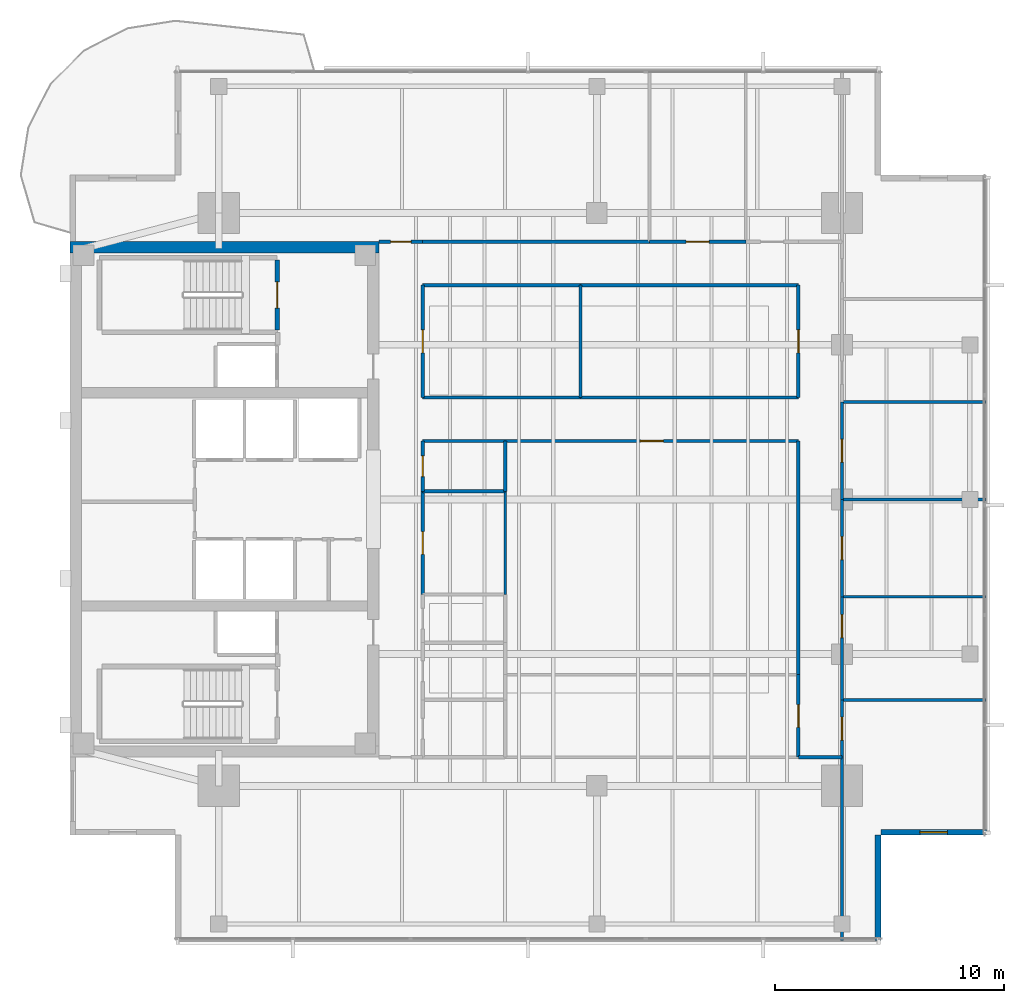
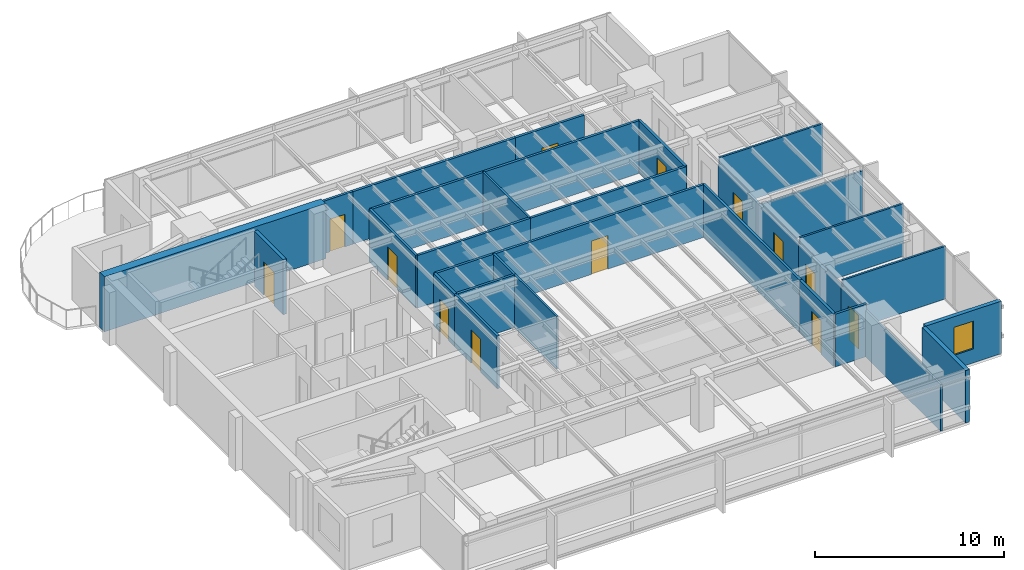
# One storey, part 8 of 13: 33 walls, 13 doors, 1 window, 14 openings.
"""IFC4 building model written with IfcOpenShell, lengths in metres."""

from ifc_helpers import new_model, si_unit, direction, frame, frame_2d, origin, place, context, subcontext, project, spatial, rectangle, extrude, material, layer, layer_set, type_object, element, fill, save


model = new_model("IFC4")

# Units and contexts
model_context = context("Model", 3, precision=1e-05, world=origin(), true_north=direction((0.0, 1.0)))
body_context = subcontext(model_context, "Body", "Model", "MODEL_VIEW")
ifc_project = project(units=[si_unit("LENGTHUNIT", "METRE"), si_unit("AREAUNIT", "SQUARE_METRE"), si_unit("VOLUMEUNIT", "CUBIC_METRE"), si_unit("PLANEANGLEUNIT", "RADIAN"), si_unit("MASSUNIT", "GRAM", prefix="KILO")], contexts=[model_context])

# Site, building, storey
site_placement = place(None, origin())
site = spatial("IfcSite", under=ifc_project, at=site_placement, CompositionType="ELEMENT")
building_placement = place(site_placement, origin())
building = spatial("IfcBuilding", under=site, at=building_placement, Name="Kinhvarn Gate Tower", CompositionType="ELEMENT")
storey_placement = place(building_placement, frame((0.0, 0.0, 288.300048828125)))
storey = spatial("IfcBuildingStorey", under=building, at=storey_placement, Name="L77", CompositionType="ELEMENT", Elevation=288.300048828125)

# Walls
ifc_material_1 = material(Name="Concrete C50/60", Category="concrete")
ifc_layer_1 = layer(ifc_material_1, 0.5)
ifc_layer_set_1 = layer_set([ifc_layer_1], Name="Concrete C50/60")
wall_type_1 = type_object("IfcWallType", Name="WL-CORE-500", PredefinedType="SHEAR", material=ifc_layer_set_1)
wall_1_placement = place(storey_placement, frame((4.5, 36.25, 0.0), z_axis=(0.0, 0.0, 1.0), x_axis=(1.0, 0.0, 0.0)))
element("IfcWall", 1, at=wall_1_placement, inside=storey, type_object=wall_type_1, Name="Core North Shear Wall L77 500 mm", PredefinedType="SHEAR", context=body_context, shape_type="SweptSolid", body=[
    extrude(rectangle(XDim=13.5, YDim=0.5, at=frame_2d((6.75, 0.0))), origin(), (0.0, 0.0, 1.0), 3.550048828125),
])
ifc_material_2 = material(Name="Fired architectural terracotta", Category="masonry")
ifc_layer_2 = layer(ifc_material_2, 0.25)
ifc_layer_set_2 = layer_set([ifc_layer_2], Name="Fired architectural terracotta")
wall_type_2 = type_object("IfcWallType", Name="WL-EXT-250", PredefinedType="SOLIDWALL", material=ifc_layer_set_2)
wall_2_placement = place(storey_placement, frame((39.77490234375, 6.0, 0.0), z_axis=(0.0, 0.0, 1.0), x_axis=(0.0, 1.0, 0.0)))
element("IfcWall", 2, at=wall_2_placement, inside=storey, type_object=wall_type_2, Name="Exterior Solidwall Wall EW-250 (L77 SE-Notch-1)", PredefinedType="SOLIDWALL", context=body_context, shape_type="SweptSolid", body=[
    extrude(rectangle(XDim=4.60009765625, YDim=0.25, at=frame_2d((2.300048828125, 0.0))), origin(), (0.0, 0.0, 1.0), 3.389892578125),
])

# Wall, opening, window
wall_3_placement = place(storey_placement, frame((39.89990234375, 10.72509765625, 0.0), z_axis=(0.0, 0.0, 1.0), x_axis=(1.0, 0.0, 0.0)))
wall_3 = element("IfcWall", 3, at=wall_3_placement, inside=storey, type_object=wall_type_2, Name="Exterior Solidwall Wall EW-250 (L77 SE-Notch-2)", PredefinedType="SOLIDWALL", context=body_context, shape_type="SweptSolid", body=[
    extrude(rectangle(XDim=4.60009765625, YDim=0.25, at=frame_2d((2.300048828125, 0.0))), origin(), (0.0, 0.0, 1.0), 3.389892578125),
])
opening_1_placement = place(wall_3_placement, frame((1.699951171875, 0.0, 0.89990234375)))
opening_1 = element("IfcOpeningElement", 4, at=opening_1_placement, cuts=wall_3, Name="Opening WN-02", PredefinedType="OPENING", context=body_context, shape_type="SweptSolid", body=[
    extrude(rectangle(XDim=1.199951171875, YDim=1.800048828125, at=frame_2d((0.60009765625, 0.89990234375))), frame((0.0, 0.135009765625, 0.0), z_axis=(0.0, -1.0, 0.0), x_axis=(1.0, 0.0, 0.0)), (0.0, 0.0, 1.0), 0.27001953125),
])
ifc_material_3 = material(Name="Clear low-e double glazing", Category="glass")
window_type = type_object("IfcWindowType", Name="WIN-NTC-1200", PartitioningType="SINGLE_PANEL", PredefinedType="WINDOW", material=ifc_material_3)
window_placement = place(opening_1_placement, origin())
window = element("IfcWindow", 5, at=window_placement, inside=storey, type_object=window_type, Name="Recessed Corner Notch Punched Window 1200x1800 mm (L77)", OverallHeight=1.800048828125, OverallWidth=1.199951171875, PartitioningType="SINGLE_PANEL", PredefinedType="WINDOW", context=body_context, shape_type="SweptSolid", body=[
    extrude(rectangle(XDim=1.199951171875, YDim=1.800048828125, at=frame_2d((0.60009765625, 0.89990234375))), frame((0.0, 0.030029296875, 0.0), z_axis=(0.0, -1.0, 0.0), x_axis=(1.0, 0.0, 0.0)), (0.0, 0.0, 1.0), 0.06005859375),
])
fill(opening_1, window)

# Walls
ifc_material_4 = material(Name="Gypsum acoustic partition board")
ifc_layer_3 = layer(ifc_material_4, 0.14990234375)
ifc_layer_set_3 = layer_set([ifc_layer_3], Name="Gypsum acoustic partition board")
wall_type_3 = type_object("IfcWallType", Name="WL-PLM-150", PredefinedType="PLUMBINGWALL", material=ifc_layer_set_3)
wall_4_placement = place(storey_placement, frame((19.89990234375, 25.60009765625, 0.0), z_axis=(0.0, 0.0, 1.0), x_axis=(1.0, 0.0, 0.0)))
element("IfcWall", 6, at=wall_4_placement, inside=storey, type_object=wall_type_3, Name="Interior Partition PLW-150 (L77)", PredefinedType="PLUMBINGWALL", context=body_context, shape_type="SweptSolid", body=[
    extrude(rectangle(XDim=3.60009765625, YDim=0.14990234375, at=frame_2d((1.800048828125, 0.0))), origin(), (0.0, 0.0, 1.0), 3.389892578125),
])
wall_5_placement = place(storey_placement, frame((23.5, 25.60009765625, 0.0), z_axis=(0.0, 0.0, 1.0), x_axis=(0.0, 1.0, 0.0)))
element("IfcWall", 7, at=wall_5_placement, inside=storey, type_object=wall_type_3, Name="Interior Partition PLW-150 (L77)", PredefinedType="PLUMBINGWALL", context=body_context, shape_type="SweptSolid", body=[
    extrude(rectangle(XDim=2.199951171875, YDim=0.14990234375, at=frame_2d((1.10009765625, 0.0))), origin(), (0.0, 0.0, 1.0), 3.389892578125),
])

# Wall, opening, door
ifc_layer_4 = layer(ifc_material_4, 0.14990234375)
ifc_layer_set_4 = layer_set([ifc_layer_4], Name="Gypsum acoustic partition board")
wall_type_4 = type_object("IfcWallType", Name="WL-PLM-150F", PredefinedType="PLUMBINGWALL", material=ifc_layer_set_4)
wall_6_placement = place(storey_placement, frame((19.89990234375, 25.60009765625, 0.0), z_axis=(0.0, 0.0, 1.0), x_axis=(0.0, 1.0, 0.0)))
wall_6 = element("IfcWall", 8, at=wall_6_placement, inside=storey, type_object=wall_type_4, Name="Interior Partition PLW-150F (L77)", PredefinedType="PLUMBINGWALL", context=body_context, shape_type="SweptSolid", body=[
    extrude(rectangle(XDim=2.199951171875, YDim=0.14990234375, at=frame_2d((1.10009765625, 0.0))), origin(), (0.0, 0.0, 1.0), 3.389892578125),
])
opening_2_placement = place(wall_6_placement, frame((0.64990234375, 0.0, 0.0)))
opening_2 = element("IfcOpeningElement", 9, at=opening_2_placement, cuts=wall_6, Name="Opening FD-04", PredefinedType="OPENING", context=body_context, shape_type="SweptSolid", body=[
    extrude(rectangle(XDim=0.89990234375, YDim=2.10009765625, at=frame_2d((0.449951171875, 1.050048828125))), frame((0.0, 0.0849609375, 0.0), z_axis=(0.0, -1.0, 0.0), x_axis=(1.0, 0.0, 0.0)), (0.0, 0.0, 1.0), 0.169921875),
])
ifc_material_5 = material(Name="Anodised aluminium AW-6063", Category="aluminium")
door_type_1 = type_object("IfcDoorType", Name="DR-FD-900", OperationType="NOTDEFINED", PredefinedType="DOOR", material=ifc_material_5)
door_1_placement = place(opening_2_placement, origin())
door_1 = element("IfcDoor", 10, at=door_1_placement, inside=storey, type_object=door_type_1, Name="Rated Riser & Service Closet Fire Door 900x2100 mm (L77)", OperationType="SINGLE_SWING_RIGHT", OverallHeight=2.10009765625, OverallWidth=0.89990234375, PredefinedType="DOOR", context=body_context, shape_type="SweptSolid", body=[
    extrude(rectangle(XDim=0.89990234375, YDim=2.10009765625, at=frame_2d((0.449951171875, 1.050048828125))), frame((0.0, 0.02490234375, 0.0), z_axis=(0.0, -1.0, 0.0), x_axis=(1.0, 0.0, 0.0)), (0.0, 0.0, 1.0), 0.050048828125),
])
fill(opening_2, door_1)

# Walls
wall_7_placement = place(storey_placement, frame((19.89990234375, 27.800048828125, 0.0), z_axis=(0.0, 0.0, 1.0), x_axis=(1.0, 0.0, 0.0)))
element("IfcWall", 11, at=wall_7_placement, inside=storey, type_object=wall_type_4, Name="Interior Partition PLW-150F (L77)", PredefinedType="PLUMBINGWALL", context=body_context, shape_type="SweptSolid", body=[
    extrude(rectangle(XDim=3.60009765625, YDim=0.14990234375, at=frame_2d((1.800048828125, 0.0))), origin(), (0.0, 0.0, 1.0), 3.389892578125),
])
ifc_layer_5 = layer(ifc_material_4, 0.1201171875)
ifc_layer_set_5 = layer_set([ifc_layer_5], Name="Gypsum acoustic partition board")
wall_type_5 = type_object("IfcWallType", Name="WL-PRT-120", PredefinedType="PARTITIONING", material=ifc_layer_set_5)
wall_8_placement = place(storey_placement, frame((26.7900390625, 29.699951171875, 0.0), z_axis=(0.0, 0.0, 1.0), x_axis=(0.0, 1.0, 0.0)))
element("IfcWall", 12, at=wall_8_placement, inside=storey, type_object=wall_type_5, Name="Interior Partition PW-120 (L77)", PredefinedType="PARTITIONING", context=body_context, shape_type="SweptSolid", body=[
    extrude(rectangle(XDim=4.900146484375, YDim=0.1201171875, at=frame_2d((2.4501953125, 0.0))), origin(), (0.0, 0.0, 1.0), 3.389892578125),
])
wall_9_placement = place(storey_placement, frame((23.5, 21.10009765625, 0.0), z_axis=(0.0, 0.0, 1.0), x_axis=(0.0, 1.0, 0.0)))
element("IfcWall", 13, at=wall_9_placement, inside=storey, type_object=wall_type_5, Name="Interior Partition PW-120 (L77)", PredefinedType="PARTITIONING", context=body_context, shape_type="SweptSolid", body=[
    extrude(rectangle(XDim=4.5, YDim=0.1201171875, at=frame_2d((2.25, 0.0))), origin(), (0.0, 0.0, 1.0), 3.389892578125),
])
wall_10_placement = place(storey_placement, frame((38.199951171875, 6.010009765625, 0.0), z_axis=(0.0, 0.0, 1.0), x_axis=(0.0, 1.0, 0.0)))
element("IfcWall", 14, at=wall_10_placement, inside=storey, type_object=wall_type_5, Name="Interior Partition PW-120 (L77)", PredefinedType="PARTITIONING", context=body_context, shape_type="SweptSolid", body=[
    extrude(rectangle(XDim=7.989990234375, YDim=0.1201171875, at=frame_2d((3.9951171875, 0.0))), origin(), (0.0, 0.0, 1.0), 2.989990234375),
])
for number, where, z_axis, x_axis, name in (
    (15, (38.199951171875, 16.5, 0.0), (0.0, 0.0, 1.0), (1.0, 0.0, 0.0), "Interior Partition PW-120 (L77)"),
    (16, (38.199951171875, 21.0, 0.0), (0.0, 0.0, 1.0), (1.0, 0.0, 0.0), "Interior Partition PW-120 (L77)"),
):
    element("IfcWall", number, at=place(storey_placement, frame(where, z_axis=z_axis, x_axis=x_axis)), inside=storey, type_object=wall_type_5, Name=name, PredefinedType="PARTITIONING", context=body_context, shape_type="SweptSolid", body=[
        extrude(rectangle(XDim=6.2900390625, YDim=0.1201171875, at=frame_2d((3.14501953125, 0.0))), origin(), (0.0, 0.0, 1.0), 3.389892578125),
    ])
wall_11_placement = place(storey_placement, frame((38.199951171875, 25.25, 0.0), z_axis=(0.0, 0.0, 1.0), x_axis=(1.0, 0.0, 0.0)))
element("IfcWall", 17, at=wall_11_placement, inside=storey, type_object=wall_type_5, Name="Interior Partition PW-120 (L77)", PredefinedType="PARTITIONING", context=body_context, shape_type="SweptSolid", body=[
    extrude(rectangle(XDim=6.2900390625, YDim=0.1201171875, at=frame_2d((3.14501953125, 0.0))), origin(), (0.0, 0.0, 1.0), 2.93994140625),
])
wall_12_placement = place(storey_placement, frame((38.199951171875, 29.5, 0.0), z_axis=(0.0, 0.0, 1.0), x_axis=(1.0, 0.0, 0.0)))
element("IfcWall", 18, at=wall_12_placement, inside=storey, type_object=wall_type_5, Name="Interior Partition PW-120 (L77)", PredefinedType="PARTITIONING", context=body_context, shape_type="SweptSolid", body=[
    extrude(rectangle(XDim=6.2900390625, YDim=0.1201171875, at=frame_2d((3.14501953125, 0.0))), origin(), (0.0, 0.0, 1.0), 3.389892578125),
])

# Wall, opening, door
ifc_layer_6 = layer(ifc_material_4, 0.14990234375)
ifc_layer_set_6 = layer_set([ifc_layer_6], Name="Gypsum acoustic partition board")
wall_type_6 = type_object("IfcWallType", Name="WL-PRT-150F", PredefinedType="PARTITIONING", material=ifc_layer_set_6)
wall_13_placement = place(storey_placement, frame((19.89990234375, 29.699951171875, 0.0), z_axis=(0.0, 0.0, 1.0), x_axis=(0.0, 1.0, 0.0)))
wall_13 = element("IfcWall", 19, at=wall_13_placement, inside=storey, type_object=wall_type_6, Name="Interior Partition PW-150F (L77)", PredefinedType="PARTITIONING", context=body_context, shape_type="SweptSolid", body=[
    extrude(rectangle(XDim=4.900146484375, YDim=0.14990234375, at=frame_2d((2.4501953125, 0.0))), origin(), (0.0, 0.0, 1.0), 3.389892578125),
])
opening_3_placement = place(wall_13_placement, frame((1.949951171875, 0.0, 0.0)))
opening_3 = element("IfcOpeningElement", 20, at=opening_3_placement, cuts=wall_13, Name="Opening ID-02", PredefinedType="OPENING", context=body_context, shape_type="SweptSolid", body=[
    extrude(rectangle(XDim=1.0, YDim=2.14990234375, at=frame_2d((0.5, 1.074951171875))), frame((0.0, 0.0849609375, 0.0), z_axis=(0.0, -1.0, 0.0), x_axis=(1.0, 0.0, 0.0)), (0.0, 0.0, 1.0), 0.169921875),
])
door_type_2 = type_object("IfcDoorType", Name="DR-INT-1000", OperationType="NOTDEFINED", PredefinedType="DOOR", material=ifc_material_5)
door_2_placement = place(opening_3_placement, origin())
door_2 = element("IfcDoor", 21, at=door_2_placement, inside=storey, type_object=door_type_2, Name="Standard Office & Meeting Room Door 1000x2150 mm (L77)", OperationType="SINGLE_SWING_RIGHT", OverallHeight=2.14990234375, OverallWidth=1.0, PredefinedType="DOOR", context=body_context, shape_type="SweptSolid", body=[
    extrude(rectangle(XDim=1.0, YDim=2.14990234375, at=frame_2d((0.5, 1.074951171875))), frame((0.0, 0.02490234375, 0.0), z_axis=(0.0, -1.0, 0.0), x_axis=(1.0, 0.0, 0.0)), (0.0, 0.0, 1.0), 0.050048828125),
])
fill(opening_3, door_2)

wall_14_placement = place(storey_placement, frame((19.89990234375, 21.10009765625, 0.0), z_axis=(0.0, 0.0, 1.0), x_axis=(0.0, 1.0, 0.0)))
wall_14 = element("IfcWall", 22, at=wall_14_placement, inside=storey, type_object=wall_type_6, Name="Interior Partition PW-150F (L77)", PredefinedType="PARTITIONING", context=body_context, shape_type="SweptSolid", body=[
    extrude(rectangle(XDim=4.5, YDim=0.14990234375, at=frame_2d((2.25, 0.0))), origin(), (0.0, 0.0, 1.0), 3.389892578125),
])
opening_4_placement = place(wall_14_placement, frame((1.75, 0.0, 0.0)))
opening_4 = element("IfcOpeningElement", 23, at=opening_4_placement, cuts=wall_14, Name="Opening ID-02", PredefinedType="OPENING", context=body_context, shape_type="SweptSolid", body=[
    extrude(rectangle(XDim=1.0, YDim=2.14990234375, at=frame_2d((0.5, 1.074951171875))), frame((0.0, 0.0849609375, 0.0), z_axis=(0.0, -1.0, 0.0), x_axis=(1.0, 0.0, 0.0)), (0.0, 0.0, 1.0), 0.169921875),
])
door_3_placement = place(opening_4_placement, origin())
door_3 = element("IfcDoor", 24, at=door_3_placement, inside=storey, type_object=door_type_2, Name="Standard Office & Meeting Room Door 1000x2150 mm (L77)", OperationType="SINGLE_SWING_LEFT", OverallHeight=2.14990234375, OverallWidth=1.0, PredefinedType="DOOR", context=body_context, shape_type="SweptSolid", body=[
    extrude(rectangle(XDim=1.0, YDim=2.14990234375, at=frame_2d((0.5, 1.074951171875))), frame((0.0, 0.02490234375, 0.0), z_axis=(0.0, -1.0, 0.0), x_axis=(1.0, 0.0, 0.0)), (0.0, 0.0, 1.0), 0.050048828125),
])
fill(opening_4, door_3)

wall_15_placement = place(storey_placement, frame((18.0, 36.5, 0.0), z_axis=(0.0, 0.0, 1.0), x_axis=(1.0, 0.0, 0.0)))
wall_15 = element("IfcWall", 25, at=wall_15_placement, inside=storey, type_object=wall_type_6, Name="Interior Partition PW-150F (L77)", PredefinedType="PARTITIONING", context=body_context, shape_type="SweptSolid", body=[
    extrude(rectangle(XDim=1.89990234375, YDim=0.14990234375, at=frame_2d((0.949951171875, 0.0))), origin(), (0.0, 0.0, 1.0), 3.389892578125),
])
opening_5_placement = place(wall_15_placement, frame((0.5, 0.0, 0.0)))
opening_5 = element("IfcOpeningElement", 26, at=opening_5_placement, cuts=wall_15, Name="Opening ID-03", PredefinedType="OPENING", context=body_context, shape_type="SweptSolid", body=[
    extrude(rectangle(XDim=0.89990234375, YDim=2.10009765625, at=frame_2d((0.449951171875, 1.050048828125))), frame((0.0, 0.0849609375, 0.0), z_axis=(0.0, -1.0, 0.0), x_axis=(1.0, 0.0, 0.0)), (0.0, 0.0, 1.0), 0.169921875),
])
door_type_3 = type_object("IfcDoorType", Name="DR-INT-900", OperationType="NOTDEFINED", PredefinedType="DOOR", material=ifc_material_5)
door_4_placement = place(opening_5_placement, origin())
door_4 = element("IfcDoor", 27, at=door_4_placement, inside=storey, type_object=door_type_3, Name="Cellular Office & Restroom Door 900x2100 mm (L77)", OperationType="SINGLE_SWING_LEFT", OverallHeight=2.10009765625, OverallWidth=0.89990234375, PredefinedType="DOOR", context=body_context, shape_type="SweptSolid", body=[
    extrude(rectangle(XDim=0.89990234375, YDim=2.10009765625, at=frame_2d((0.449951171875, 1.050048828125))), frame((0.0, 0.02490234375, 0.0), z_axis=(0.0, -1.0, 0.0), x_axis=(1.0, 0.0, 0.0)), (0.0, 0.0, 1.0), 0.050048828125),
])
fill(opening_5, door_4)

# Walls
wall_16_placement = place(storey_placement, frame((19.89990234375, 29.699951171875, 0.0), z_axis=(0.0, 0.0, 1.0), x_axis=(1.0, 0.0, 0.0)))
element("IfcWall", 28, at=wall_16_placement, inside=storey, type_object=wall_type_6, Name="Interior Partition PW-150F (L77)", PredefinedType="PARTITIONING", context=body_context, shape_type="SweptSolid", body=[
    extrude(rectangle(XDim=6.89013671875, YDim=0.14990234375, at=frame_2d((3.445068359375, 0.0))), origin(), (0.0, 0.0, 1.0), 3.389892578125),
])
wall_17_placement = place(storey_placement, frame((26.7900390625, 29.699951171875, 0.0), z_axis=(0.0, 0.0, 1.0), x_axis=(1.0, 0.0, 0.0)))
element("IfcWall", 29, at=wall_17_placement, inside=storey, type_object=wall_type_6, Name="Interior Partition PW-150F (L77)", PredefinedType="PARTITIONING", context=body_context, shape_type="SweptSolid", body=[
    extrude(rectangle(XDim=9.510009765625, YDim=0.14990234375, at=frame_2d((4.7548828125, 0.0))), origin(), (0.0, 0.0, 1.0), 3.389892578125),
])

# Wall, opening, door
wall_18_placement = place(storey_placement, frame((23.5, 27.800048828125, 0.0), z_axis=(0.0, 0.0, 1.0), x_axis=(1.0, 0.0, 0.0)))
wall_18 = element("IfcWall", 30, at=wall_18_placement, inside=storey, type_object=wall_type_6, Name="Interior Partition PW-150F (L77)", PredefinedType="PARTITIONING", context=body_context, shape_type="SweptSolid", body=[
    extrude(rectangle(XDim=12.800048828125, YDim=0.14990234375, at=frame_2d((6.39990234375, 0.0))), origin(), (0.0, 0.0, 1.0), 3.389892578125),
])
opening_6_placement = place(wall_18_placement, frame((5.89990234375, 0.0, 0.0)))
opening_6 = element("IfcOpeningElement", 31, at=opening_6_placement, cuts=wall_18, Name="Opening ID-02", PredefinedType="OPENING", context=body_context, shape_type="SweptSolid", body=[
    extrude(rectangle(XDim=1.0, YDim=2.14990234375, at=frame_2d((0.5, 1.074951171875))), frame((0.0, 0.0849609375, 0.0), z_axis=(0.0, -1.0, 0.0), x_axis=(1.0, 0.0, 0.0)), (0.0, 0.0, 1.0), 0.169921875),
])
door_5_placement = place(opening_6_placement, origin())
door_5 = element("IfcDoor", 32, at=door_5_placement, inside=storey, type_object=door_type_2, Name="Standard Office & Meeting Room Door 1000x2150 mm (L77)", OperationType="SINGLE_SWING_RIGHT", OverallHeight=2.14990234375, OverallWidth=1.0, PredefinedType="DOOR", context=body_context, shape_type="SweptSolid", body=[
    extrude(rectangle(XDim=1.0, YDim=2.14990234375, at=frame_2d((0.5, 1.074951171875))), frame((0.0, 0.02490234375, 0.0), z_axis=(0.0, -1.0, 0.0), x_axis=(1.0, 0.0, 0.0)), (0.0, 0.0, 1.0), 0.050048828125),
])
fill(opening_6, door_5)

wall_19_placement = place(storey_placement, frame((36.300048828125, 29.699951171875, 0.0), z_axis=(0.0, 0.0, 1.0), x_axis=(0.0, 1.0, 0.0)))
wall_19 = element("IfcWall", 33, at=wall_19_placement, inside=storey, type_object=wall_type_6, Name="Interior Partition PW-150F (L77)", PredefinedType="PARTITIONING", context=body_context, shape_type="SweptSolid", body=[
    extrude(rectangle(XDim=4.900146484375, YDim=0.14990234375, at=frame_2d((2.4501953125, 0.0))), origin(), (0.0, 0.0, 1.0), 3.389892578125),
])
opening_7_placement = place(wall_19_placement, frame((1.949951171875, 0.0, 0.0)))
opening_7 = element("IfcOpeningElement", 34, at=opening_7_placement, cuts=wall_19, Name="Opening ID-02", PredefinedType="OPENING", context=body_context, shape_type="SweptSolid", body=[
    extrude(rectangle(XDim=1.0, YDim=2.14990234375, at=frame_2d((0.5, 1.074951171875))), frame((0.0, 0.0849609375, 0.0), z_axis=(0.0, -1.0, 0.0), x_axis=(1.0, 0.0, 0.0)), (0.0, 0.0, 1.0), 0.169921875),
])
door_6_placement = place(opening_7_placement, origin())
door_6 = element("IfcDoor", 35, at=door_6_placement, inside=storey, type_object=door_type_2, Name="Standard Office & Meeting Room Door 1000x2150 mm (L77)", OperationType="SINGLE_SWING_LEFT", OverallHeight=2.14990234375, OverallWidth=1.0, PredefinedType="DOOR", context=body_context, shape_type="SweptSolid", body=[
    extrude(rectangle(XDim=1.0, YDim=2.14990234375, at=frame_2d((0.5, 1.074951171875))), frame((0.0, 0.02490234375, 0.0), z_axis=(0.0, -1.0, 0.0), x_axis=(1.0, 0.0, 0.0)), (0.0, 0.0, 1.0), 0.050048828125),
])
fill(opening_7, door_6)

wall_20_placement = place(storey_placement, frame((36.300048828125, 14.0, 0.0), z_axis=(0.0, 0.0, 1.0), x_axis=(0.0, 1.0, 0.0)))
wall_20 = element("IfcWall", 36, at=wall_20_placement, inside=storey, type_object=wall_type_6, Name="Interior Partition PW-150F (L77)", PredefinedType="PARTITIONING", context=body_context, shape_type="SweptSolid", body=[
    extrude(rectangle(XDim=3.60009765625, YDim=0.14990234375, at=frame_2d((1.800048828125, 0.0))), origin(), (0.0, 0.0, 1.0), 3.389892578125),
])
opening_8_placement = place(wall_20_placement, frame((1.300048828125, 0.0, 0.0)))
opening_8 = element("IfcOpeningElement", 37, at=opening_8_placement, cuts=wall_20, Name="Opening ID-02", PredefinedType="OPENING", context=body_context, shape_type="SweptSolid", body=[
    extrude(rectangle(XDim=1.0, YDim=2.14990234375, at=frame_2d((0.5, 1.074951171875))), frame((0.0, 0.0849609375, 0.0), z_axis=(0.0, -1.0, 0.0), x_axis=(1.0, 0.0, 0.0)), (0.0, 0.0, 1.0), 0.169921875),
])
door_7_placement = place(opening_8_placement, origin())
door_7 = element("IfcDoor", 38, at=door_7_placement, inside=storey, type_object=door_type_2, Name="Standard Office & Meeting Room Door 1000x2150 mm (L77)", OperationType="SINGLE_SWING_RIGHT", OverallHeight=2.14990234375, OverallWidth=1.0, PredefinedType="DOOR", context=body_context, shape_type="SweptSolid", body=[
    extrude(rectangle(XDim=1.0, YDim=2.14990234375, at=frame_2d((0.5, 1.074951171875))), frame((0.0, 0.02490234375, 0.0), z_axis=(0.0, -1.0, 0.0), x_axis=(1.0, 0.0, 0.0)), (0.0, 0.0, 1.0), 0.050048828125),
])
fill(opening_8, door_7)

# Walls
wall_21_placement = place(storey_placement, frame((36.300048828125, 17.60009765625, 0.0), z_axis=(0.0, 0.0, 1.0), x_axis=(0.0, 1.0, 0.0)))
element("IfcWall", 39, at=wall_21_placement, inside=storey, type_object=wall_type_6, Name="Interior Partition PW-150F (L77)", PredefinedType="PARTITIONING", context=body_context, shape_type="SweptSolid", body=[
    extrude(rectangle(XDim=10.199951171875, YDim=0.14990234375, at=frame_2d((5.10009765625, 0.0))), origin(), (0.0, 0.0, 1.0), 3.389892578125),
])
wall_22_placement = place(storey_placement, frame((36.300048828125, 14.0, 0.0), z_axis=(0.0, 0.0, 1.0), x_axis=(1.0, 0.0, 0.0)))
element("IfcWall", 40, at=wall_22_placement, inside=storey, type_object=wall_type_6, Name="Interior Partition PW-150F (L77)", PredefinedType="PARTITIONING", context=body_context, shape_type="SweptSolid", body=[
    extrude(rectangle(XDim=1.89990234375, YDim=0.14990234375, at=frame_2d((0.949951171875, 0.0))), origin(), (0.0, 0.0, 1.0), 3.389892578125),
])

# Wall, opening, door
wall_23_placement = place(storey_placement, frame((38.199951171875, 14.0, 0.0), z_axis=(0.0, 0.0, 1.0), x_axis=(0.0, 1.0, 0.0)))
wall_23 = element("IfcWall", 41, at=wall_23_placement, inside=storey, type_object=wall_type_6, Name="Interior Partition PW-150F (L77)", PredefinedType="PARTITIONING", context=body_context, shape_type="SweptSolid", body=[
    extrude(rectangle(XDim=2.5, YDim=0.14990234375, at=frame_2d((1.25, 0.0))), origin(), (0.0, 0.0, 1.0), 2.989990234375),
])
opening_9_placement = place(wall_23_placement, frame((0.75, 0.0, 0.0)))
opening_9 = element("IfcOpeningElement", 42, at=opening_9_placement, cuts=wall_23, Name="Opening ID-02", PredefinedType="OPENING", context=body_context, shape_type="SweptSolid", body=[
    extrude(rectangle(XDim=1.0, YDim=2.14990234375, at=frame_2d((0.5, 1.074951171875))), frame((0.0, 0.0849609375, 0.0), z_axis=(0.0, -1.0, 0.0), x_axis=(1.0, 0.0, 0.0)), (0.0, 0.0, 1.0), 0.169921875),
])
door_8_placement = place(opening_9_placement, origin())
door_8 = element("IfcDoor", 43, at=door_8_placement, inside=storey, type_object=door_type_2, Name="Standard Office & Meeting Room Door 1000x2150 mm (L77)", OperationType="SINGLE_SWING_LEFT", OverallHeight=2.14990234375, OverallWidth=1.0, PredefinedType="DOOR", context=body_context, shape_type="SweptSolid", body=[
    extrude(rectangle(XDim=1.0, YDim=2.14990234375, at=frame_2d((0.5, 1.074951171875))), frame((0.0, 0.02490234375, 0.0), z_axis=(0.0, -1.0, 0.0), x_axis=(1.0, 0.0, 0.0)), (0.0, 0.0, 1.0), 0.050048828125),
])
fill(opening_9, door_8)

wall_24_placement = place(storey_placement, frame((38.199951171875, 16.5, 0.0), z_axis=(0.0, 0.0, 1.0), x_axis=(0.0, 1.0, 0.0)))
wall_24 = element("IfcWall", 44, at=wall_24_placement, inside=storey, type_object=wall_type_6, Name="Interior Partition PW-150F (L77)", PredefinedType="PARTITIONING", context=body_context, shape_type="SweptSolid", body=[
    extrude(rectangle(XDim=4.5, YDim=0.14990234375, at=frame_2d((2.25, 0.0))), origin(), (0.0, 0.0, 1.0), 2.989990234375),
])
opening_10_placement = place(wall_24_placement, frame((2.721923828125, 0.0, 0.0)))
opening_10 = element("IfcOpeningElement", 45, at=opening_10_placement, cuts=wall_24, Name="Opening ID-02", PredefinedType="OPENING", context=body_context, shape_type="SweptSolid", body=[
    extrude(rectangle(XDim=1.0, YDim=2.14990234375, at=frame_2d((0.5, 1.074951171875))), frame((0.0, 0.0849609375, 0.0), z_axis=(0.0, -1.0, 0.0), x_axis=(1.0, 0.0, 0.0)), (0.0, 0.0, 1.0), 0.169921875),
])
door_9_placement = place(opening_10_placement, origin())
door_9 = element("IfcDoor", 46, at=door_9_placement, inside=storey, type_object=door_type_2, Name="Standard Office & Meeting Room Door 1000x2150 mm (L77)", OperationType="SINGLE_SWING_RIGHT", OverallHeight=2.14990234375, OverallWidth=1.0, PredefinedType="DOOR", context=body_context, shape_type="SweptSolid", body=[
    extrude(rectangle(XDim=1.0, YDim=2.14990234375, at=frame_2d((0.5, 1.074951171875))), frame((0.0, 0.02490234375, 0.0), z_axis=(0.0, -1.0, 0.0), x_axis=(1.0, 0.0, 0.0)), (0.0, 0.0, 1.0), 0.050048828125),
])
fill(opening_10, door_9)

wall_25_placement = place(storey_placement, frame((38.199951171875, 21.0, 0.0), z_axis=(0.0, 0.0, 1.0), x_axis=(0.0, 1.0, 0.0)))
wall_25 = element("IfcWall", 47, at=wall_25_placement, inside=storey, type_object=wall_type_6, Name="Interior Partition PW-150F (L77)", PredefinedType="PARTITIONING", context=body_context, shape_type="SweptSolid", body=[
    extrude(rectangle(XDim=4.25, YDim=0.14990234375, at=frame_2d((2.125, 0.0))), origin(), (0.0, 0.0, 1.0), 2.989990234375),
])
opening_11_placement = place(wall_25_placement, frame((1.625, 0.0, 0.0)))
opening_11 = element("IfcOpeningElement", 48, at=opening_11_placement, cuts=wall_25, Name="Opening ID-02", PredefinedType="OPENING", context=body_context, shape_type="SweptSolid", body=[
    extrude(rectangle(XDim=1.0, YDim=2.14990234375, at=frame_2d((0.5, 1.074951171875))), frame((0.0, 0.0849609375, 0.0), z_axis=(0.0, -1.0, 0.0), x_axis=(1.0, 0.0, 0.0)), (0.0, 0.0, 1.0), 0.169921875),
])
door_10_placement = place(opening_11_placement, origin())
door_10 = element("IfcDoor", 49, at=door_10_placement, inside=storey, type_object=door_type_2, Name="Standard Office & Meeting Room Door 1000x2150 mm (L77)", OperationType="SINGLE_SWING_LEFT", OverallHeight=2.14990234375, OverallWidth=1.0, PredefinedType="DOOR", context=body_context, shape_type="SweptSolid", body=[
    extrude(rectangle(XDim=1.0, YDim=2.14990234375, at=frame_2d((0.5, 1.074951171875))), frame((0.0, 0.02490234375, 0.0), z_axis=(0.0, -1.0, 0.0), x_axis=(1.0, 0.0, 0.0)), (0.0, 0.0, 1.0), 0.050048828125),
])
fill(opening_11, door_10)

wall_26_placement = place(storey_placement, frame((38.199951171875, 25.25, 0.0), z_axis=(0.0, 0.0, 1.0), x_axis=(0.0, 1.0, 0.0)))
wall_26 = element("IfcWall", 50, at=wall_26_placement, inside=storey, type_object=wall_type_6, Name="Interior Partition PW-150F (L77)", PredefinedType="PARTITIONING", context=body_context, shape_type="SweptSolid", body=[
    extrude(rectangle(XDim=4.25, YDim=0.14990234375, at=frame_2d((2.125, 0.0))), origin(), (0.0, 0.0, 1.0), 2.989990234375),
])
opening_12_placement = place(wall_26_placement, frame((1.625, 0.0, 0.0)))
opening_12 = element("IfcOpeningElement", 51, at=opening_12_placement, cuts=wall_26, Name="Opening ID-02", PredefinedType="OPENING", context=body_context, shape_type="SweptSolid", body=[
    extrude(rectangle(XDim=1.0, YDim=2.14990234375, at=frame_2d((0.5, 1.074951171875))), frame((0.0, 0.0849609375, 0.0), z_axis=(0.0, -1.0, 0.0), x_axis=(1.0, 0.0, 0.0)), (0.0, 0.0, 1.0), 0.169921875),
])
door_11_placement = place(opening_12_placement, origin())
door_11 = element("IfcDoor", 52, at=door_11_placement, inside=storey, type_object=door_type_2, Name="Standard Office & Meeting Room Door 1000x2150 mm (L77)", OperationType="SINGLE_SWING_RIGHT", OverallHeight=2.14990234375, OverallWidth=1.0, PredefinedType="DOOR", context=body_context, shape_type="SweptSolid", body=[
    extrude(rectangle(XDim=1.0, YDim=2.14990234375, at=frame_2d((0.5, 1.074951171875))), frame((0.0, 0.02490234375, 0.0), z_axis=(0.0, -1.0, 0.0), x_axis=(1.0, 0.0, 0.0)), (0.0, 0.0, 1.0), 0.050048828125),
])
fill(opening_12, door_11)

# Walls
wall_27_placement = place(storey_placement, frame((19.89990234375, 34.60009765625, 0.0), z_axis=(0.0, 0.0, 1.0), x_axis=(1.0, 0.0, 0.0)))
element("IfcWall", 53, at=wall_27_placement, inside=storey, type_object=wall_type_6, Name="Interior Partition PW-150F (L77)", PredefinedType="PARTITIONING", context=body_context, shape_type="SweptSolid", body=[
    extrude(rectangle(XDim=6.89013671875, YDim=0.14990234375, at=frame_2d((3.445068359375, 0.0))), origin(), (0.0, 0.0, 1.0), 3.389892578125),
])
wall_28_placement = place(storey_placement, frame((26.7900390625, 34.60009765625, 0.0), z_axis=(0.0, 0.0, 1.0), x_axis=(1.0, 0.0, 0.0)))
element("IfcWall", 54, at=wall_28_placement, inside=storey, type_object=wall_type_6, Name="Interior Partition PW-150F (L77)", PredefinedType="PARTITIONING", context=body_context, shape_type="SweptSolid", body=[
    extrude(rectangle(XDim=9.510009765625, YDim=0.14990234375, at=frame_2d((4.7548828125, 0.0))), origin(), (0.0, 0.0, 1.0), 3.389892578125),
])
wall_29_placement = place(storey_placement, frame((19.89990234375, 36.5, 0.0), z_axis=(0.0, 0.0, 1.0), x_axis=(1.0, 0.0, 0.0)))
element("IfcWall", 55, at=wall_29_placement, inside=storey, type_object=wall_type_6, Name="Interior Partition PW-150F (L77)", PredefinedType="PARTITIONING", context=body_context, shape_type="SweptSolid", body=[
    extrude(rectangle(XDim=9.900146484375, YDim=0.14990234375, at=frame_2d((4.9501953125, 0.0))), origin(), (0.0, 0.0, 1.0), 3.389892578125),
])

# Wall, opening, door
wall_30_placement = place(storey_placement, frame((29.800048828125, 36.5, 0.0), z_axis=(0.0, 0.0, 1.0), x_axis=(1.0, 0.0, 0.0)))
wall_30 = element("IfcWall", 56, at=wall_30_placement, inside=storey, type_object=wall_type_6, Name="Interior Partition PW-150F (L77)", PredefinedType="PARTITIONING", context=body_context, shape_type="SweptSolid", body=[
    extrude(rectangle(XDim=4.199951171875, YDim=0.14990234375, at=frame_2d((2.10009765625, 0.0))), origin(), (0.0, 0.0, 1.0), 3.389892578125),
])
opening_13_placement = place(wall_30_placement, frame((1.60009765625, 0.0, 0.0)))
opening_13 = element("IfcOpeningElement", 57, at=opening_13_placement, cuts=wall_30, Name="Opening ID-02", PredefinedType="OPENING", context=body_context, shape_type="SweptSolid", body=[
    extrude(rectangle(XDim=1.0, YDim=2.14990234375, at=frame_2d((0.5, 1.074951171875))), frame((0.0, 0.0849609375, 0.0), z_axis=(0.0, -1.0, 0.0), x_axis=(1.0, 0.0, 0.0)), (0.0, 0.0, 1.0), 0.169921875),
])
door_12_placement = place(opening_13_placement, origin())
door_12 = element("IfcDoor", 58, at=door_12_placement, inside=storey, type_object=door_type_2, Name="Standard Office & Meeting Room Door 1000x2150 mm (L77)", OperationType="SINGLE_SWING_LEFT", OverallHeight=2.14990234375, OverallWidth=1.0, PredefinedType="DOOR", context=body_context, shape_type="SweptSolid", body=[
    extrude(rectangle(XDim=1.0, YDim=2.14990234375, at=frame_2d((0.5, 1.074951171875))), frame((0.0, 0.02490234375, 0.0), z_axis=(0.0, -1.0, 0.0), x_axis=(1.0, 0.0, 0.0)), (0.0, 0.0, 1.0), 0.050048828125),
])
fill(opening_13, door_12)

ifc_material_6 = material(Name="Concrete C40/50", Category="concrete")
ifc_layer_7 = layer(ifc_material_6, 0.199951171875)
ifc_layer_set_7 = layer_set([ifc_layer_7], Name="Concrete C40/50")
wall_type_7 = type_object("IfcWallType", Name="WL-SHF-200", PredefinedType="SOLIDWALL", material=ifc_layer_set_7)
wall_31_placement = place(storey_placement, frame((13.56005859375, 32.64990234375, 0.0), z_axis=(0.0, 0.0, 1.0), x_axis=(0.0, 1.0, 0.0)))
wall_31 = element("IfcWall", 59, at=wall_31_placement, inside=storey, type_object=wall_type_7, Name="Stair ST2 East Entry Wall (L77)", PredefinedType="SOLIDWALL", context=body_context, shape_type="SweptSolid", body=[
    extrude(rectangle(XDim=3.050048828125, YDim=0.199951171875, at=frame_2d((1.52490234375, 0.0))), origin(), (0.0, 0.0, 1.0), 3.550048828125),
])
opening_14_placement = place(wall_31_placement, frame((0.949951171875, 0.0, 0.0)))
opening_14 = element("IfcOpeningElement", 60, at=opening_14_placement, cuts=wall_31, Name="Opening FD-01", PredefinedType="OPENING", context=body_context, shape_type="SweptSolid", body=[
    extrude(rectangle(XDim=1.14990234375, YDim=2.14990234375, at=frame_2d((0.574951171875, 1.074951171875))), frame((0.0, 0.10986328125, 0.0), z_axis=(0.0, -1.0, 0.0), x_axis=(1.0, 0.0, 0.0)), (0.0, 0.0, 1.0), 0.219970703125),
])
door_type_4 = type_object("IfcDoorType", Name="DR-ST-1150", OperationType="NOTDEFINED", PredefinedType="DOOR", material=ifc_material_5)
door_13_placement = place(opening_14_placement, origin())
door_13 = element("IfcDoor", 61, at=door_13_placement, inside=storey, type_object=door_type_4, Name="Exit Stair ST2 Fire Door (L77)", OperationType="SINGLE_SWING_RIGHT", OverallHeight=2.14990234375, OverallWidth=1.14990234375, PredefinedType="DOOR", context=body_context, shape_type="SweptSolid", body=[
    extrude(rectangle(XDim=1.14990234375, YDim=2.14990234375, at=frame_2d((0.574951171875, 1.074951171875))), frame((0.0, 0.02490234375, 0.0), z_axis=(0.0, -1.0, 0.0), x_axis=(1.0, 0.0, 0.0)), (0.0, 0.0, 1.0), 0.050048828125),
])
fill(opening_14, door_13)

save(model, "model.ifc")
